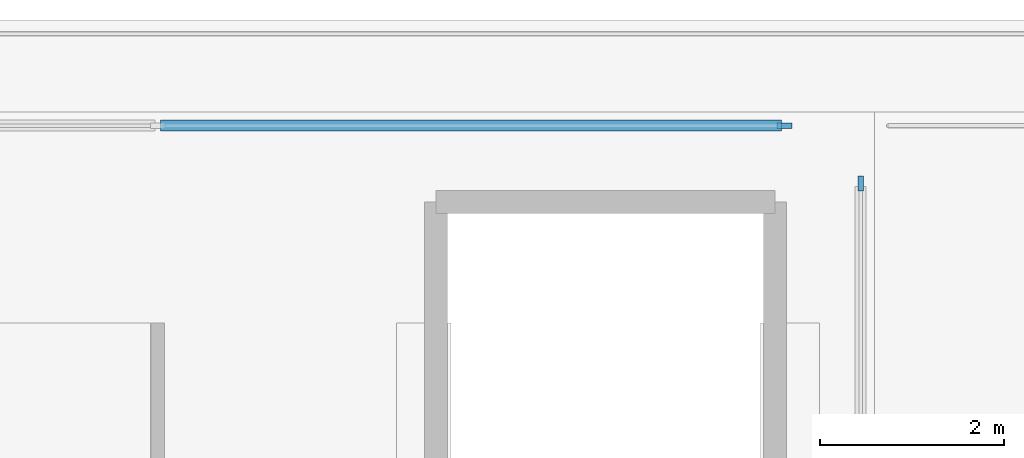
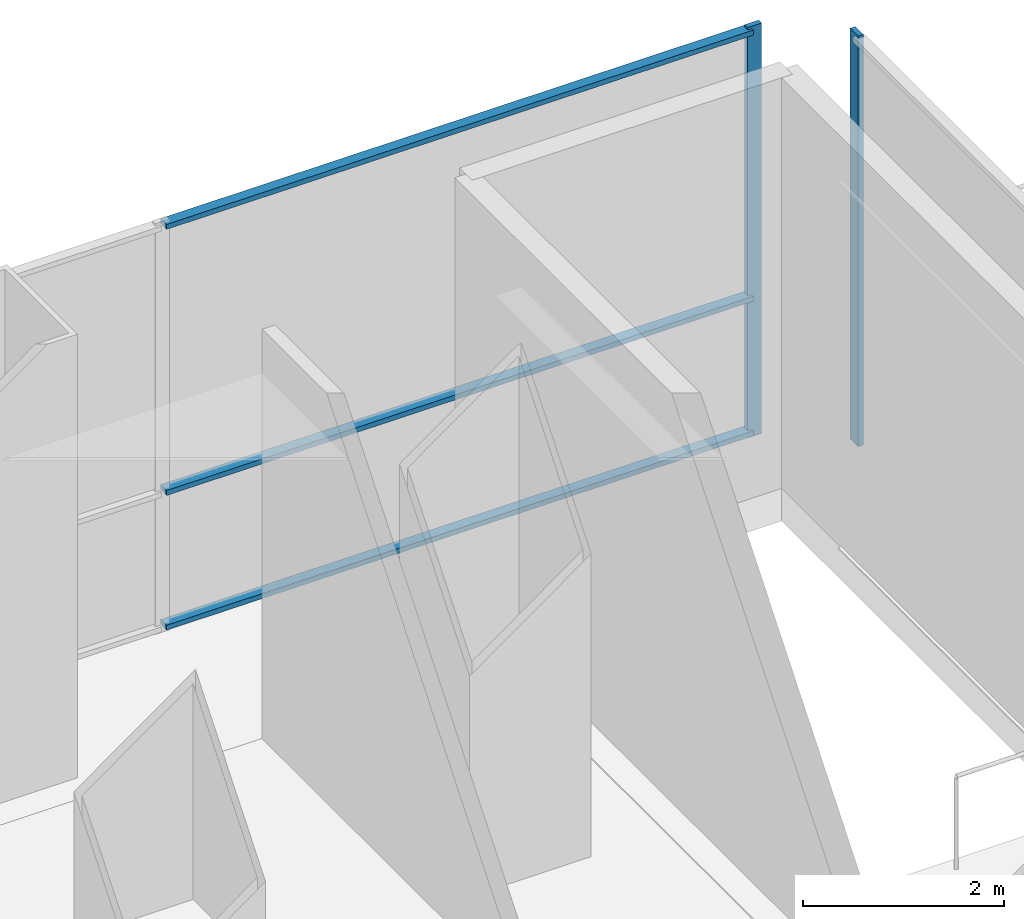
# One storey, part 12 of 21: 5 members, 2 elements without a shape of their own.
"""IFC4 building model written with IfcOpenShell, lengths in metres."""

from ifc_helpers import new_model, si_unit, direction, frame, origin, origin_2d, place, context, subcontext, project, spatial, rectangle, extrude, material, layer, layer_set, material_profile, profile_set, type_object, element, aggregate, save


model = new_model("IFC4")

# Units and contexts
model_context = context("Model", 3, precision=1e-05, world=origin(), true_north=direction((0.0, 1.0)))
body_context = subcontext(model_context, "Body", "Model", "MODEL_VIEW")
ifc_project = project(units=[si_unit("LENGTHUNIT", "METRE"), si_unit("AREAUNIT", "SQUARE_METRE"), si_unit("VOLUMEUNIT", "CUBIC_METRE"), si_unit("PLANEANGLEUNIT", "RADIAN"), si_unit("MASSUNIT", "GRAM", prefix="KILO")], contexts=[model_context])

# Site, building, storey
site_placement = place(None, origin())
site = spatial("IfcSite", under=ifc_project, at=site_placement, CompositionType="ELEMENT")
building_placement = place(site_placement, origin())
building = spatial("IfcBuilding", under=site, at=building_placement, Name="Trevonay Congress Spire", CompositionType="ELEMENT")
storey_placement = place(building_placement, frame((0.0, 0.0, 21.60009765625)))
storey = spatial("IfcBuildingStorey", under=building, at=storey_placement, Name="L04", CompositionType="ELEMENT", Elevation=21.60009765625)

# Curtain wall, member
ifc_material = material(Name="Pale Anodised Aluminium EN AW-6063-T6", Category="aluminium")
ifc_layer = layer(ifc_material, 0.179931640625, Name="Pale Anodised Aluminium EN AW-6063-T6")
ifc_layer_set = layer_set([ifc_layer], Name="Pale Anodised Aluminium EN AW-6063-T6")
curtain_wall_type = type_object("IfcCurtainWallType", Name="CW-SYS01-PODIUM-PALE-METAL", PredefinedType="NOTDEFINED", material=ifc_layer_set)
curtain_wall_1_placement = place(storey_placement, origin())
curtain_wall_1 = element("IfcCurtainWall", 1, at=curtain_wall_1_placement, inside=storey, type_object=curtain_wall_type, Name="L04 E2 podium curtain wall", PredefinedType="NOTDEFINED")
ifc_material_profile_1 = material_profile(ifc_material, rectangle(XDim=0.06005859375, YDim=0.159912109375, at=origin_2d()), Name="CW-MULLION-160-ALUMINIUM")
ifc_profile_set_1 = profile_set([ifc_material_profile_1], Name="Pale Anodised Aluminium EN AW-6063-T6")
member_type_1 = type_object("IfcMemberType", Name="CW-MULLION-160-ALUMINIUM", PredefinedType="MULLION", material=ifc_profile_set_1)
member_1_placement = place(storey_placement, frame((29.85009765625, 23.719970703125, 0.0), z_axis=(0.0, 0.0, 1.0), x_axis=(-1.0, 0.0, 0.0)))
member_1 = element("IfcMember", 2, at=member_1_placement, type_object=member_type_1, Name="CW01 mullion 3", PredefinedType="MULLION", context=body_context, shape_type="SweptSolid", body=[
    extrude(rectangle(XDim=0.06005859375, YDim=0.159912109375, at=origin_2d()), origin(), (0.0, 0.0, 1.0), 5.0),
])
aggregate(curtain_wall_1, [member_1])

# Curtain wall, members
curtain_wall_2_placement = place(storey_placement, origin())
curtain_wall_2 = element("IfcCurtainWall", 3, at=curtain_wall_2_placement, inside=storey, type_object=curtain_wall_type, Name="L04 N2 podium curtain wall", PredefinedType="NOTDEFINED")
member_2_placement = place(storey_placement, frame((29.02001953125, 24.35009765625, 0.0), z_axis=(0.0, 0.0, 1.0), x_axis=(0.0, 1.0, 0.0)))
member_2 = element("IfcMember", 4, at=member_2_placement, type_object=member_type_1, Name="CW01 mullion 3", PredefinedType="MULLION", context=body_context, shape_type="SweptSolid", body=[
    extrude(rectangle(XDim=0.06005859375, YDim=0.159912109375, at=origin_2d()), origin(), (0.0, 0.0, 1.0), 5.0),
])
ifc_material_profile_2 = material_profile(ifc_material, rectangle(XDim=0.1201171875, YDim=0.06005859375, at=origin_2d()), Name="CW-TRANSOM-120-ALUMINIUM")
ifc_profile_set_2 = profile_set([ifc_material_profile_2], Name="Pale Anodised Aluminium EN AW-6063-T6")
member_type_2 = type_object("IfcMemberType", Name="CW-TRANSOM-120-ALUMINIUM", PredefinedType="USERDEFINED", material=ifc_profile_set_2)
member_3_placement = place(storey_placement, frame((22.22998046875, 24.35009765625, 0.059814453125), z_axis=(1.0, 0.0, 0.0), x_axis=(0.0, 1.0, 0.0)))
member_3 = element("IfcMember", 5, at=member_3_placement, type_object=member_type_2, Name="CW01 transom 2.1", ObjectType="TRANSOM", PredefinedType="USERDEFINED", context=body_context, shape_type="SweptSolid", body=[
    extrude(rectangle(XDim=0.1201171875, YDim=0.06005859375, at=origin_2d()), origin(), (0.0, 0.0, 1.0), 6.760009765625),
])
member_4_placement = place(storey_placement, frame((22.22998046875, 24.35009765625, 1.699951171875), z_axis=(1.0, 0.0, 0.0), x_axis=(0.0, 1.0, 0.0)))
member_4 = element("IfcMember", 6, at=member_4_placement, type_object=member_type_2, Name="CW01 transom 2.2", ObjectType="TRANSOM", PredefinedType="USERDEFINED", context=body_context, shape_type="SweptSolid", body=[
    extrude(rectangle(XDim=0.1201171875, YDim=0.06005859375, at=origin_2d()), origin(), (0.0, 0.0, 1.0), 6.760009765625),
])
member_5_placement = place(storey_placement, frame((22.22998046875, 24.35009765625, 4.93994140625), z_axis=(1.0, 0.0, 0.0), x_axis=(0.0, 1.0, 0.0)))
member_5 = element("IfcMember", 7, at=member_5_placement, type_object=member_type_2, Name="CW01 transom 2.3", ObjectType="TRANSOM", PredefinedType="USERDEFINED", context=body_context, shape_type="SweptSolid", body=[
    extrude(rectangle(XDim=0.1201171875, YDim=0.06005859375, at=origin_2d()), origin(), (0.0, 0.0, 1.0), 6.760009765625),
])
aggregate(curtain_wall_2, [member_2, member_3, member_4, member_5])

save(model, "model.ifc")
